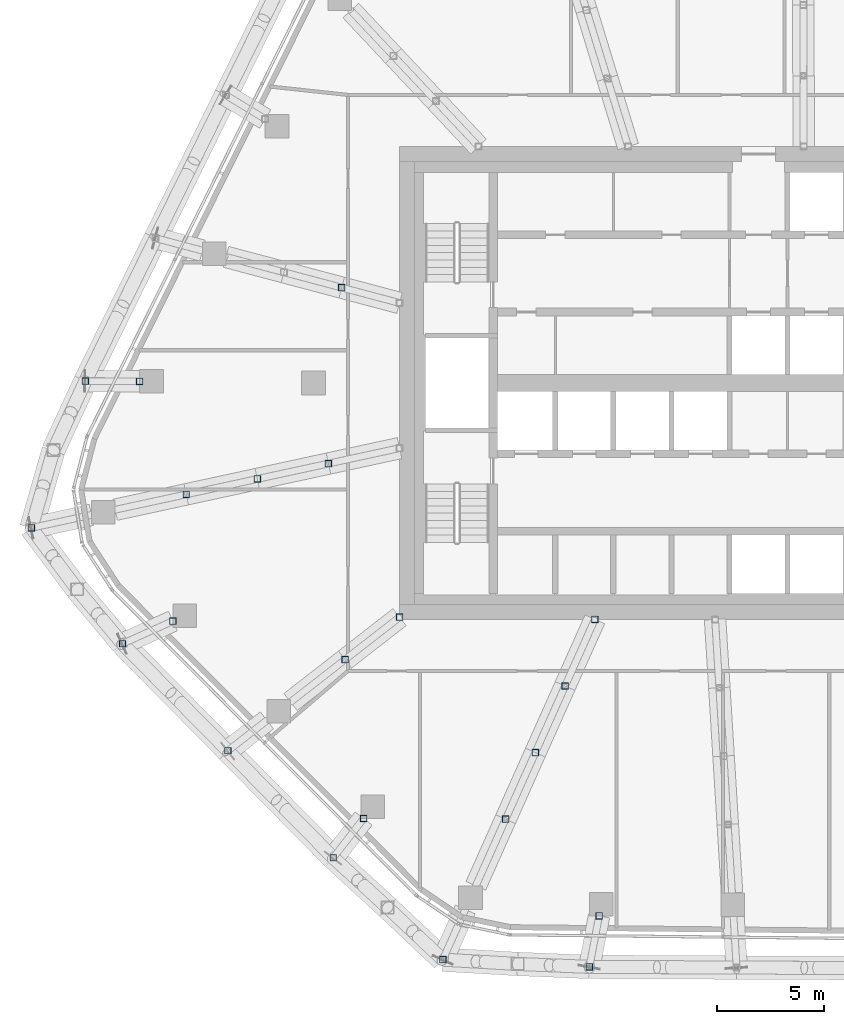
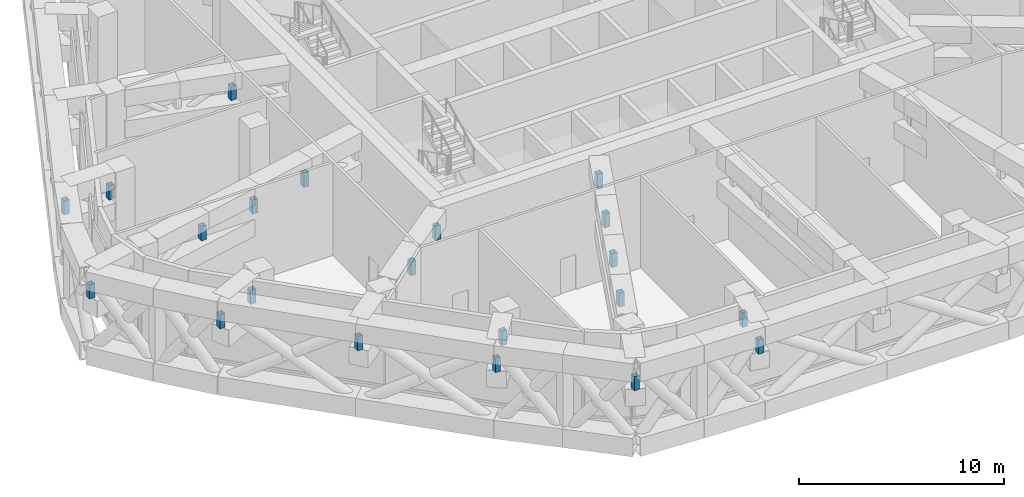
# One storey, part 10 of 31: 21 members.
"""IFC4 building model written with IfcOpenShell, lengths in metres."""

import ifcopenshell
import ifcopenshell.guid

model = None  # the IFC model being written
_history = None  # IfcOwnerHistory: only IFC2X3 demands one
_inside = {}  # id of a spatial element -> (the spatial element, [elements in it])
_under = {}  # id of a project, library or spatial element -> (it, [spatial elements below it])
_declared = {}  # id of a project -> (the project, [libraries it declares])
_typed = {}  # id of a type object -> (the type object, [elements of that type])
_made_of = {}  # id of a material, layer set ... -> (it, [elements and type objects made of it])


def new_model(schema):
    """Start an empty IFC model of exactly this schema.

    Asked for "IFC4X3", IfcOpenShell would pick the latest addendum, in which some entities
    have other attributes; the version numbers below select the first issue.
    IFC2X3 requires an IfcOwnerHistory on every rooted entity: one is made here for all.
    """
    global model, _history
    if schema == "IFC4X3":
        model = ifcopenshell.file(schema_version=(4, 3, 0, 0))
    else:
        model = ifcopenshell.file(schema=schema)
    _inside.clear()
    _under.clear()
    _declared.clear()
    _typed.clear()
    _made_of.clear()
    _history = None
    if model.schema == "IFC2X3":
        org = make("IfcOrganization", Name="unknown")
        user = make(
            "IfcPersonAndOrganization",
            ThePerson=make("IfcPerson", FamilyName="unknown"),
            TheOrganization=org,
        )
        app = make(
            "IfcApplication",
            ApplicationDeveloper=org,
            Version="unknown",
            ApplicationFullName="unknown",
            ApplicationIdentifier="unknown",
        )
        _history = make(
            "IfcOwnerHistory",
            OwningUser=user,
            OwningApplication=app,
            ChangeAction="ADDED",
            CreationDate=0,
        )
    return model


def make(cls, **values):
    """One entity of the class cls with the attributes given. An attribute that is None is left unset."""
    return model.create_entity(
        cls, **{name: value for name, value in values.items() if value is not None}
    )


def rooted(cls, **values):
    """An entity with a GlobalId (a new one), such as an element, a storey or a relation."""
    return make(cls, GlobalId=ifcopenshell.guid.new(), OwnerHistory=_history, **values)


def si_unit(unit_type, name, prefix=None):
    """IfcSIUnit, for example si_unit("LENGTHUNIT", "METRE", prefix="MILLI")."""
    return make("IfcSIUnit", UnitType=unit_type, Prefix=prefix, Name=name)


def assignment(units):
    """IfcUnitAssignment: the units of a project."""
    return None if units is None else make("IfcUnitAssignment", Units=units)


def point(xyz):
    """IfcCartesianPoint."""
    return None if xyz is None else make("IfcCartesianPoint", Coordinates=xyz)


def direction(xyz):
    """IfcDirection."""
    return None if xyz is None else make("IfcDirection", DirectionRatios=xyz)


def frame(location, z_axis=None, x_axis=None):
    """IfcAxis2Placement3D, a coordinate frame: its origin and axes. An axis left out is left unset."""
    return make(
        "IfcAxis2Placement3D",
        Location=point(location),
        Axis=direction(z_axis),
        RefDirection=direction(x_axis),
    )


def frame_2d(location, x_axis=None):
    """IfcAxis2Placement2D, a coordinate frame in the plane: its origin and x axis."""
    return make(
        "IfcAxis2Placement2D", Location=point(location), RefDirection=direction(x_axis)
    )


def origin():
    """The frame at (0, 0, 0) with its axes left unset."""
    return frame((0.0, 0.0, 0.0))


def origin_2d():
    """The frame at (0, 0) in the plane with its x axis left unset."""
    return frame_2d((0.0, 0.0))


def place(relative_to, where):
    """IfcLocalPlacement: puts the frame where relative to a parent placement (None: the world)."""
    return make(
        "IfcLocalPlacement", PlacementRelTo=relative_to, RelativePlacement=where
    )


def context(
    kind, dimensions, precision=None, world=None, true_north=None, identifier=None
):
    """IfcGeometricRepresentationContext, for example the 3D "Model" context."""
    return make(
        "IfcGeometricRepresentationContext",
        ContextIdentifier=identifier,
        ContextType=kind,
        CoordinateSpaceDimension=dimensions,
        Precision=precision,
        WorldCoordinateSystem=world,
        TrueNorth=true_north,
    )


def subcontext(parent, identifier, kind, view, scale=None):
    """IfcGeometricRepresentationSubContext, for example "Body" below "Model"."""
    return make(
        "IfcGeometricRepresentationSubContext",
        ContextIdentifier=identifier,
        ContextType=kind,
        ParentContext=parent,
        TargetScale=scale,
        TargetView=view,
    )


def project(units=None, contexts=None):
    """IfcProject with its units and contexts."""
    return rooted(
        "IfcProject",
        Name="project",
        RepresentationContexts=contexts,
        UnitsInContext=assignment(units),
    )


def spatial(cls, under=None, at=None, **own):
    """A site, building, storey or space (cls), placed at a placement, below another one or the project."""
    s = rooted(cls, ObjectPlacement=at, **own)
    if under is not None:
        _under.setdefault(under.id(), (under, []))[1].append(s)
    return s


def profile(cls, at=None, kind="AREA", **sizes):
    """A parametric profile (cls). Its sizes go by their IFC names, for example OverallWidth=200.0."""
    return make(cls, ProfileType=kind, Position=at, **sizes)


def hollow_rectangle(**sizes):
    """IfcRectangleHollowProfileDef."""
    return profile("IfcRectangleHollowProfileDef", **sizes)


def extrude(swept, where, along, depth):
    """IfcExtrudedAreaSolid: the profile swept, set in the frame where, extruded along a direction by depth."""
    return make(
        "IfcExtrudedAreaSolid",
        SweptArea=swept,
        Position=where,
        ExtrudedDirection=direction(along),
        Depth=depth,
    )


def shape(context_of_items, identifier, shape_type, items):
    """IfcShapeRepresentation: the items that make up one representation, for example the "Body"."""
    return make(
        "IfcShapeRepresentation",
        ContextOfItems=context_of_items,
        RepresentationIdentifier=identifier,
        RepresentationType=shape_type,
        Items=items,
    )


def material(Name=None, Category=None):
    """IfcMaterial."""
    return make("IfcMaterial", Name=Name, Category=Category)


def material_profile(
    of_material, cross_section, Name=None, Category=None, Priority=None
):
    """IfcMaterialProfile: a cross section and its material."""
    return make(
        "IfcMaterialProfile",
        Name=Name,
        Material=of_material,
        Profile=cross_section,
        Priority=Priority,
        Category=Category,
    )


def profile_set(profiles, Name=None, composite=None):
    """IfcMaterialProfileSet."""
    return make(
        "IfcMaterialProfileSet",
        Name=Name,
        MaterialProfiles=profiles,
        CompositeProfile=composite,
    )


def made_of(thing, what):
    """Note that an element or type object is made of a material, layer set ...; save() writes the relation."""
    if what is not None:
        _made_of.setdefault(what.id(), (what, []))[1].append(thing)
    return thing


def type_object(cls, material=None, **own):
    """A type object (cls), such as IfcWallType, which elements share."""
    return made_of(rooted(cls, **own), material)


def element(
    cls,
    number,
    at=None,
    inside=None,
    cuts=None,
    type_object=None,
    material=None,
    context=None,
    identifier="Body",
    shape_type=None,
    held_by="IfcProductDefinitionShape",
    body=None,
    shapes=None,
    **own,
):
    """One element of the class cls, such as IfcWall. Its Tag is "e" and its number.

    at: its placement. inside: the storey or other place that contains it. cuts: it is an
    opening in that element (IfcRelVoidsElement). A single representation is given by context,
    identifier, shape_type and body (its items); several are given by shapes. held_by: the class
    of the entity that holds the representations. save() writes the other relations.
    """
    e = rooted(cls, Tag="e%d" % number, ObjectPlacement=at, **own)
    if body is not None:
        shapes = [shape(context, identifier, shape_type, body)]
    if shapes is not None:
        e.Representation = make(held_by, Representations=shapes)
    if inside is not None:
        _inside.setdefault(inside.id(), (inside, []))[1].append(e)
    if cuts is not None:
        rooted(
            "IfcRelVoidsElement", RelatingBuildingElement=cuts, RelatedOpeningElement=e
        )
    if type_object is not None:
        _typed.setdefault(type_object.id(), (type_object, []))[1].append(e)
    return made_of(e, material)


def aggregate(whole, parts):
    """IfcRelAggregates: a whole, such as a stair, and the parts it consists of."""
    return rooted("IfcRelAggregates", RelatingObject=whole, RelatedObjects=parts)


def save(model, path):
    """Write the relations noted so far, then the file.

    IfcRelAggregates (storeys below a building ...), IfcRelContainedInSpatialStructure (elements
    in a storey), IfcRelDefinesByType, IfcRelAssociatesMaterial and IfcRelDeclares: one each for
    every whole, place, type object, material and project.
    """
    for whole, parts in _under.values():
        aggregate(whole, parts)
    for where, things in _inside.values():
        rooted(
            "IfcRelContainedInSpatialStructure",
            RelatedElements=things,
            RelatingStructure=where,
        )
    for kind, things in _typed.values():
        rooted("IfcRelDefinesByType", RelatedObjects=things, RelatingType=kind)
    for what, things in _made_of.values():
        rooted("IfcRelAssociatesMaterial", RelatedObjects=things, RelatingMaterial=what)
    for by, libraries in _declared.values():
        rooted("IfcRelDeclares", RelatingContext=by, RelatedDefinitions=libraries)
    model.write(path)


model = new_model("IFC4")

# Units and contexts
model_context = context("Model", 3, precision=1e-05, world=origin(), true_north=direction((0.0, 1.0)))
body_context = subcontext(model_context, "Body", "Model", "MODEL_VIEW")
ifc_project = project(units=[si_unit("LENGTHUNIT", "METRE"), si_unit("AREAUNIT", "SQUARE_METRE"), si_unit("VOLUMEUNIT", "CUBIC_METRE"), si_unit("PLANEANGLEUNIT", "RADIAN"), si_unit("MASSUNIT", "GRAM", prefix="KILO")], contexts=[model_context])

# Site, building, storey
site_placement = place(None, origin())
site = spatial("IfcSite", under=ifc_project, at=site_placement, CompositionType="ELEMENT")
building_placement = place(site_placement, origin())
building = spatial("IfcBuilding", under=site, at=building_placement, Name="Dongbaek Canopy Tower", CompositionType="ELEMENT")
storey_placement = place(building_placement, frame((0.0, 0.0, 283.199951171875)))
storey = spatial("IfcBuildingStorey", under=building, at=storey_placement, Name="L60", CompositionType="ELEMENT", Elevation=283.199951171875)

# Members
ifc_material_1 = material(Name="Steel S355", Category="steel")
ifc_material_profile_1 = material_profile(ifc_material_1, hollow_rectangle(XDim=0.300048828125, YDim=0.300048828125, WallThickness=0.011962890625, at=origin_2d()), Name="OUTRIGGER POST SHS 300x300x12 Steel S355")
ifc_profile_set_1 = profile_set([ifc_material_profile_1], Name="Steel S355")
member_type_1 = type_object("IfcMemberType", Name="OUTRIGGER POST SHS 300x300x12 Steel S355", PredefinedType="POST", material=ifc_profile_set_1)
for number, where, z_axis, x_axis, name in (
    (1, (-4.913818359375, -11.0, 3.699951171875), (0.0, 0.0, 1.0), (1.0, 0.0, 0.0), "TRUSS:L60:4:P0"),
    (2, (-6.298095703125, -14.09912109375, 3.699951171875), (0.0, 0.0, 1.0), (1.0, 0.0, 0.0), "TRUSS:L60:4:P1"),
    (3, (-7.6826171875, -17.197998046875, 3.699951171875), (0.0, 0.0, 1.0), (1.0, 0.0, 0.0), "TRUSS:L60:4:P2"),
    (4, (-9.06689453125, -20.297119140625, 3.699951171875), (0.0, 0.0, 1.0), (1.0, 0.0, 0.0), "TRUSS:L60:4:P3"),
    (5, (-11.985595703125, -26.830810546875, 3.699951171875), (0.0, 0.0, 1.0), (1.0, 0.0, 0.0), "TRUSS:L60:4s:P1"),
    (6, (-14.0, -10.896240234375, 3.699951171875), (0.0, 0.0, 1.0), (1.0, 0.0, 0.0), "TRUSS:L60:6:P0"),
    (7, (-16.535888671875, -12.8701171875, 3.699951171875), (0.0, 0.0, 1.0), (1.0, 0.0, 0.0), "TRUSS:L60:6:P1"),
    (8, (-21.986083984375, -17.112060546875, 3.699951171875), (0.0, 0.0, 1.0), (1.0, 0.0, 0.0), "TRUSS:L60:6s:P1"),
    (9, (-17.30810546875, -3.75048828125, 3.699951171875), (0.0, 0.0, 1.0), (1.0, 0.0, 0.0), "TRUSS:L60:8:P1"),
    (10, (-20.615966796875, -4.46728515625, 3.699951171875), (0.0, 0.0, 1.0), (1.0, 0.0, 0.0), "TRUSS:L60:8:P2"),
    (11, (-23.924072265625, -5.18408203125, 3.699951171875), (0.0, 0.0, 1.0), (1.0, 0.0, 0.0), "TRUSS:L60:8:P3"),
    (12, (-31.12890625, -6.7451171875, 3.699951171875), (0.0, 0.0, 1.0), (1.0, 0.0, 0.0), "TRUSS:L60:8s:P1"),
    (13, (-16.690185546875, 4.43505859375, 3.699951171875), (0.0, 0.0, 1.0), (1.0, 0.0, 0.0), "TRUSS:L60:10:P1"),
):
    element("IfcMember", number, at=place(storey_placement, frame(where, z_axis=z_axis, x_axis=x_axis)), inside=storey, type_object=member_type_1, Name=name, PredefinedType="POST", context=body_context, shape_type="SweptSolid", body=[
        extrude(hollow_rectangle(XDim=0.300048828125, YDim=0.300048828125, WallThickness=0.011962890625, at=origin_2d()), origin(), (0.0, 0.0, 1.0), 0.85009765625),
    ])
ifc_material_2 = material(Name="Steel S355", Category="steel")
ifc_material_profile_2 = material_profile(ifc_material_2, hollow_rectangle(XDim=0.300048828125, YDim=0.300048828125, WallThickness=0.011962890625, at=origin_2d()), Name="POST SHS 300x300x12 Steel S355")
ifc_profile_set_2 = profile_set([ifc_material_profile_2], Name="Steel S355")
member_type_2 = type_object("IfcMemberType", Name="POST SHS 300x300x12 Steel S355", PredefinedType="POST", material=ifc_profile_set_2)
for number, where, z_axis, x_axis, name in (
    (14, (-4.715576171875, -24.7958984375, 3.699951171875), (0.0, 0.0, 1.0), (1.0, 0.0, 0.0), "TRUSS:L60:3:P0"),
    (15, (-5.16650390625, -27.1669921875, 3.699951171875), (0.0, 0.0, 1.0), (1.0, 0.0, 0.0), "TRUSS:L60:3:P1"),
    (16, (-15.67236328125, -20.263916015625, 3.699951171875), (0.0, 0.0, 1.0), (1.0, 0.0, 0.0), "TRUSS:L60:5:P0"),
    (17, (-17.083984375, -22.089111328125, 3.699951171875), (0.0, 0.0, 1.0), (1.0, 0.0, 0.0), "TRUSS:L60:5:P1"),
    (18, (-24.547119140625, -11.0771484375, 3.699951171875), (0.0, 0.0, 1.0), (1.0, 0.0, 0.0), "TRUSS:L60:7:P0"),
    (19, (-26.888916015625, -12.134033203125, 3.699951171875), (0.0, 0.0, 1.0), (1.0, 0.0, 0.0), "TRUSS:L60:7:P1"),
    (20, (-26.090087890625, 0.07763671875, 3.699951171875), (0.0, 0.0, 1.0), (1.0, 0.0, 0.0), "TRUSS:L60:9:P0"),
    (21, (-28.616943359375, 0.085205078125, 3.699951171875), (0.0, 0.0, 1.0), (1.0, 0.0, 0.0), "TRUSS:L60:9:P1"),
):
    element("IfcMember", number, at=place(storey_placement, frame(where, z_axis=z_axis, x_axis=x_axis)), inside=storey, type_object=member_type_2, Name=name, PredefinedType="POST", context=body_context, shape_type="SweptSolid", body=[
        extrude(hollow_rectangle(XDim=0.300048828125, YDim=0.300048828125, WallThickness=0.011962890625, at=origin_2d()), origin(), (0.0, 0.0, 1.0), 0.85009765625),
    ])

save(model, "model.ifc")
